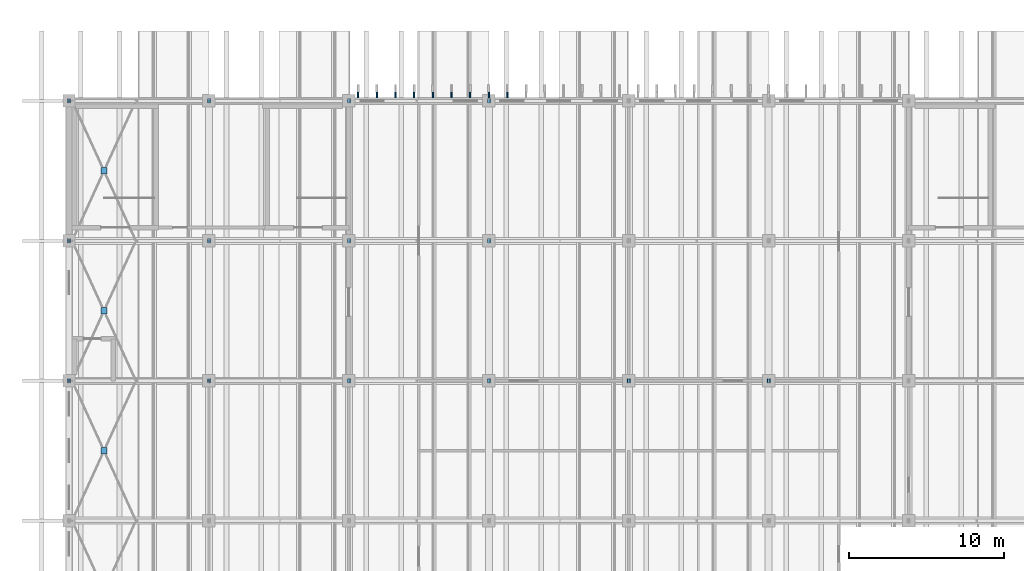
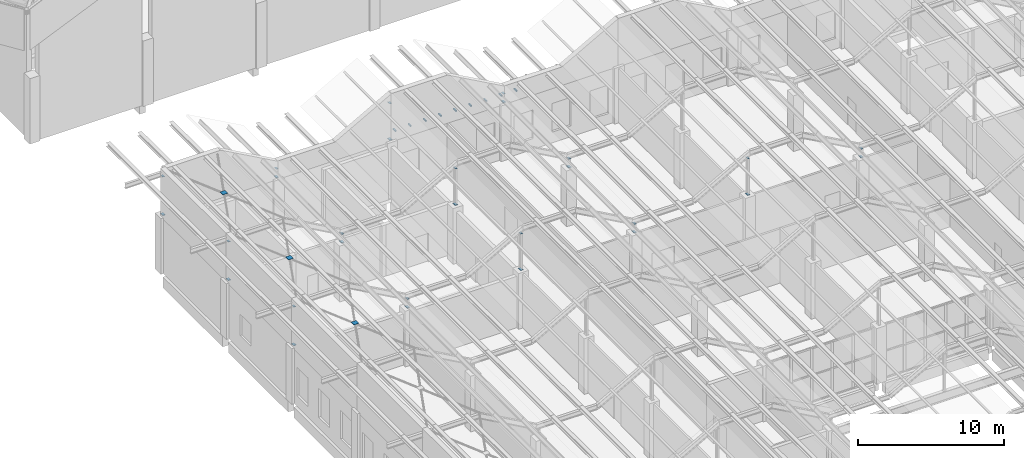
# One storey, part 352 of 437: 40 discrete accessories.
"""IFC4 building model written with IfcOpenShell, lengths in metres."""

import ifcopenshell
import ifcopenshell.guid

model = None  # the IFC model being written
_history = None  # IfcOwnerHistory: only IFC2X3 demands one
_inside = {}  # id of a spatial element -> (the spatial element, [elements in it])
_under = {}  # id of a project, library or spatial element -> (it, [spatial elements below it])
_declared = {}  # id of a project -> (the project, [libraries it declares])
_typed = {}  # id of a type object -> (the type object, [elements of that type])
_made_of = {}  # id of a material, layer set ... -> (it, [elements and type objects made of it])


def new_model(schema):
    """Start an empty IFC model of exactly this schema.

    Asked for "IFC4X3", IfcOpenShell would pick the latest addendum, in which some entities
    have other attributes; the version numbers below select the first issue.
    IFC2X3 requires an IfcOwnerHistory on every rooted entity: one is made here for all.
    """
    global model, _history
    if schema == "IFC4X3":
        model = ifcopenshell.file(schema_version=(4, 3, 0, 0))
    else:
        model = ifcopenshell.file(schema=schema)
    _inside.clear()
    _under.clear()
    _declared.clear()
    _typed.clear()
    _made_of.clear()
    _history = None
    if model.schema == "IFC2X3":
        org = make("IfcOrganization", Name="unknown")
        user = make(
            "IfcPersonAndOrganization",
            ThePerson=make("IfcPerson", FamilyName="unknown"),
            TheOrganization=org,
        )
        app = make(
            "IfcApplication",
            ApplicationDeveloper=org,
            Version="unknown",
            ApplicationFullName="unknown",
            ApplicationIdentifier="unknown",
        )
        _history = make(
            "IfcOwnerHistory",
            OwningUser=user,
            OwningApplication=app,
            ChangeAction="ADDED",
            CreationDate=0,
        )
    return model


def make(cls, **values):
    """One entity of the class cls with the attributes given. An attribute that is None is left unset."""
    return model.create_entity(
        cls, **{name: value for name, value in values.items() if value is not None}
    )


def rooted(cls, **values):
    """An entity with a GlobalId (a new one), such as an element, a storey or a relation."""
    return make(cls, GlobalId=ifcopenshell.guid.new(), OwnerHistory=_history, **values)


def si_unit(unit_type, name, prefix=None):
    """IfcSIUnit, for example si_unit("LENGTHUNIT", "METRE", prefix="MILLI")."""
    return make("IfcSIUnit", UnitType=unit_type, Prefix=prefix, Name=name)


def assignment(units):
    """IfcUnitAssignment: the units of a project."""
    return None if units is None else make("IfcUnitAssignment", Units=units)


def point(xyz):
    """IfcCartesianPoint."""
    return None if xyz is None else make("IfcCartesianPoint", Coordinates=xyz)


def direction(xyz):
    """IfcDirection."""
    return None if xyz is None else make("IfcDirection", DirectionRatios=xyz)


def frame(location, z_axis=None, x_axis=None):
    """IfcAxis2Placement3D, a coordinate frame: its origin and axes. An axis left out is left unset."""
    return make(
        "IfcAxis2Placement3D",
        Location=point(location),
        Axis=direction(z_axis),
        RefDirection=direction(x_axis),
    )


def frame_2d(location, x_axis=None):
    """IfcAxis2Placement2D, a coordinate frame in the plane: its origin and x axis."""
    return make(
        "IfcAxis2Placement2D", Location=point(location), RefDirection=direction(x_axis)
    )


def origin():
    """The frame at (0, 0, 0) with its axes left unset."""
    return frame((0.0, 0.0, 0.0))


def origin_2d():
    """The frame at (0, 0) in the plane with its x axis left unset."""
    return frame_2d((0.0, 0.0))


def place(relative_to, where):
    """IfcLocalPlacement: puts the frame where relative to a parent placement (None: the world)."""
    return make(
        "IfcLocalPlacement", PlacementRelTo=relative_to, RelativePlacement=where
    )


def context(
    kind, dimensions, precision=None, world=None, true_north=None, identifier=None
):
    """IfcGeometricRepresentationContext, for example the 3D "Model" context."""
    return make(
        "IfcGeometricRepresentationContext",
        ContextIdentifier=identifier,
        ContextType=kind,
        CoordinateSpaceDimension=dimensions,
        Precision=precision,
        WorldCoordinateSystem=world,
        TrueNorth=true_north,
    )


def subcontext(parent, identifier, kind, view, scale=None):
    """IfcGeometricRepresentationSubContext, for example "Body" below "Model"."""
    return make(
        "IfcGeometricRepresentationSubContext",
        ContextIdentifier=identifier,
        ContextType=kind,
        ParentContext=parent,
        TargetScale=scale,
        TargetView=view,
    )


def project(units=None, contexts=None):
    """IfcProject with its units and contexts."""
    return rooted(
        "IfcProject",
        Name="project",
        RepresentationContexts=contexts,
        UnitsInContext=assignment(units),
    )


def spatial(cls, under=None, at=None, **own):
    """A site, building, storey or space (cls), placed at a placement, below another one or the project."""
    s = rooted(cls, ObjectPlacement=at, **own)
    if under is not None:
        _under.setdefault(under.id(), (under, []))[1].append(s)
    return s


def profile(cls, at=None, kind="AREA", **sizes):
    """A parametric profile (cls). Its sizes go by their IFC names, for example OverallWidth=200.0."""
    return make(cls, ProfileType=kind, Position=at, **sizes)


def rectangle(**sizes):
    """IfcRectangleProfileDef."""
    return profile("IfcRectangleProfileDef", **sizes)


def extrude(swept, where, along, depth):
    """IfcExtrudedAreaSolid: the profile swept, set in the frame where, extruded along a direction by depth."""
    return make(
        "IfcExtrudedAreaSolid",
        SweptArea=swept,
        Position=where,
        ExtrudedDirection=direction(along),
        Depth=depth,
    )


def shape(context_of_items, identifier, shape_type, items):
    """IfcShapeRepresentation: the items that make up one representation, for example the "Body"."""
    return make(
        "IfcShapeRepresentation",
        ContextOfItems=context_of_items,
        RepresentationIdentifier=identifier,
        RepresentationType=shape_type,
        Items=items,
    )


def material(Name=None, Category=None):
    """IfcMaterial."""
    return make("IfcMaterial", Name=Name, Category=Category)


def layer(
    of_material, thickness, ventilated=None, Name=None, Category=None, Priority=None
):
    """IfcMaterialLayer: one layer of a wall or slab, of a material (None: an air gap)."""
    return make(
        "IfcMaterialLayer",
        Material=of_material,
        LayerThickness=thickness,
        IsVentilated=ventilated,
        Name=Name,
        Category=Category,
        Priority=Priority,
    )


def layer_set(layers, Name=None):
    """IfcMaterialLayerSet."""
    return make("IfcMaterialLayerSet", MaterialLayers=layers, LayerSetName=Name)


def made_of(thing, what):
    """Note that an element or type object is made of a material, layer set ...; save() writes the relation."""
    if what is not None:
        _made_of.setdefault(what.id(), (what, []))[1].append(thing)
    return thing


def type_object(cls, material=None, **own):
    """A type object (cls), such as IfcWallType, which elements share."""
    return made_of(rooted(cls, **own), material)


def element(
    cls,
    number,
    at=None,
    inside=None,
    cuts=None,
    type_object=None,
    material=None,
    context=None,
    identifier="Body",
    shape_type=None,
    held_by="IfcProductDefinitionShape",
    body=None,
    shapes=None,
    **own,
):
    """One element of the class cls, such as IfcWall. Its Tag is "e" and its number.

    at: its placement. inside: the storey or other place that contains it. cuts: it is an
    opening in that element (IfcRelVoidsElement). A single representation is given by context,
    identifier, shape_type and body (its items); several are given by shapes. held_by: the class
    of the entity that holds the representations. save() writes the other relations.
    """
    e = rooted(cls, Tag="e%d" % number, ObjectPlacement=at, **own)
    if body is not None:
        shapes = [shape(context, identifier, shape_type, body)]
    if shapes is not None:
        e.Representation = make(held_by, Representations=shapes)
    if inside is not None:
        _inside.setdefault(inside.id(), (inside, []))[1].append(e)
    if cuts is not None:
        rooted(
            "IfcRelVoidsElement", RelatingBuildingElement=cuts, RelatedOpeningElement=e
        )
    if type_object is not None:
        _typed.setdefault(type_object.id(), (type_object, []))[1].append(e)
    return made_of(e, material)


def aggregate(whole, parts):
    """IfcRelAggregates: a whole, such as a stair, and the parts it consists of."""
    return rooted("IfcRelAggregates", RelatingObject=whole, RelatedObjects=parts)


def save(model, path):
    """Write the relations noted so far, then the file.

    IfcRelAggregates (storeys below a building ...), IfcRelContainedInSpatialStructure (elements
    in a storey), IfcRelDefinesByType, IfcRelAssociatesMaterial and IfcRelDeclares: one each for
    every whole, place, type object, material and project.
    """
    for whole, parts in _under.values():
        aggregate(whole, parts)
    for where, things in _inside.values():
        rooted(
            "IfcRelContainedInSpatialStructure",
            RelatedElements=things,
            RelatingStructure=where,
        )
    for kind, things in _typed.values():
        rooted("IfcRelDefinesByType", RelatedObjects=things, RelatingType=kind)
    for what, things in _made_of.values():
        rooted("IfcRelAssociatesMaterial", RelatedObjects=things, RelatingMaterial=what)
    for by, libraries in _declared.values():
        rooted("IfcRelDeclares", RelatingContext=by, RelatedDefinitions=libraries)
    model.write(path)


model = new_model("IFC4")

# Units and contexts
model_context = context("Model", 3, precision=1e-05, world=origin(), true_north=direction((0.0, 1.0)))
body_context = subcontext(model_context, "Body", "Model", "MODEL_VIEW")
ifc_project = project(units=[si_unit("LENGTHUNIT", "METRE"), si_unit("AREAUNIT", "SQUARE_METRE"), si_unit("VOLUMEUNIT", "CUBIC_METRE"), si_unit("PLANEANGLEUNIT", "RADIAN"), si_unit("MASSUNIT", "GRAM", prefix="KILO")], contexts=[model_context])

# Site, building, storey
site_placement = place(None, origin())
site = spatial("IfcSite", under=ifc_project, at=site_placement, CompositionType="ELEMENT")
building_placement = place(site_placement, origin())
building = spatial("IfcBuilding", under=site, at=building_placement, Name="Opaline Strait Convention Centre", CompositionType="ELEMENT")
storey_placement = place(building_placement, frame((0.0, 0.0, 11.5)))
storey = spatial("IfcBuildingStorey", under=building, at=storey_placement, Name="L02", CompositionType="ELEMENT", Elevation=11.5)

# Discrete accessories
ifc_material_1 = material(Name="Stainless steel 316", Category="steel")
discrete_accessory_type_1 = type_object("IfcDiscreteAccessoryType", Name="Fin bracket stainless steel 316", PredefinedType="BRACKET", material=ifc_material_1)
for number, where, z_axis, x_axis, name in (
    (1, (27.60009765625, 99.375, 4.949951171875), (0.0, 0.0, 1.0), (1.0, 0.0, 0.0), "Fin bracket N L02"),
    (2, (28.800048828125, 99.375, 4.949951171875), (0.0, 0.0, 1.0), (1.0, 0.0, 0.0), "Fin bracket N L02"),
    (3, (30.0, 99.375, 4.949951171875), (0.0, 0.0, 1.0), (1.0, 0.0, 0.0), "Fin bracket N L02"),
    (4, (31.199951171875, 99.375, 4.949951171875), (0.0, 0.0, 1.0), (1.0, 0.0, 0.0), "Fin bracket N L02"),
    (5, (32.39990234375, 99.375, 4.949951171875), (0.0, 0.0, 1.0), (1.0, 0.0, 0.0), "Fin bracket N L02"),
    (6, (33.60009765625, 99.375, 4.949951171875), (0.0, 0.0, 1.0), (1.0, 0.0, 0.0), "Fin bracket N L02"),
    (7, (34.800048828125, 99.375, 4.949951171875), (0.0, 0.0, 1.0), (1.0, 0.0, 0.0), "Fin bracket N L02"),
    (8, (36.0, 99.375, 4.949951171875), (0.0, 0.0, 1.0), (1.0, 0.0, 0.0), "Fin bracket N L02"),
    (9, (37.199951171875, 99.375, 4.949951171875), (0.0, 0.0, 1.0), (1.0, 0.0, 0.0), "Fin bracket N L02"),
):
    element("IfcDiscreteAccessory", number, at=place(storey_placement, frame(where, z_axis=z_axis, x_axis=x_axis)), inside=storey, type_object=discrete_accessory_type_1, Name=name, PredefinedType="BRACKET", context=body_context, shape_type="SweptSolid", body=[
        extrude(rectangle(XDim=0.10009765625, YDim=0.35009765625, at=origin_2d()), origin(), (0.0, 0.0, 1.0), 0.10009765625),
    ])
ifc_material_2 = material(Name="Steel Q355B", Category="steel")
ifc_layer_1 = layer(ifc_material_2, 0.02001953125)
ifc_layer_set_1 = layer_set([ifc_layer_1], Name="Steel Q355B")
discrete_accessory_type_2 = type_object("IfcDiscreteAccessoryType", Name="Roof post base plate 300 x 200 x 20", PredefinedType="ANCHORPLATE", material=ifc_layer_set_1)
for number, where, z_axis, x_axis, name in (
    (10, (9.0, 81.0, 4.669921875), (0.0, 0.0, 1.0), (1.0, 0.0, 0.0), "Roof post base plate at 9/81"),
    (11, (18.0, 81.0, 4.669921875), (0.0, 0.0, 1.0), (1.0, 0.0, 0.0), "Roof post base plate at 18/81"),
    (12, (27.0, 81.0, 4.669921875), (0.0, 0.0, 1.0), (1.0, 0.0, 0.0), "Roof post base plate at 27/81"),
    (13, (36.0, 81.0, 4.669921875), (0.0, 0.0, 1.0), (1.0, 0.0, 0.0), "Roof post base plate at 36/81"),
    (14, (45.0, 81.0, 4.669921875), (0.0, 0.0, 1.0), (1.0, 0.0, 0.0), "Roof post base plate at 45/81"),
    (15, (54.0, 81.0, 4.669921875), (0.0, 0.0, 1.0), (1.0, 0.0, 0.0), "Roof post base plate at 54/81"),
    (16, (9.0, 90.0, 4.669921875), (0.0, 0.0, 1.0), (1.0, 0.0, 0.0), "Roof post base plate at 9/90"),
    (17, (18.0, 90.0, 4.669921875), (0.0, 0.0, 1.0), (1.0, 0.0, 0.0), "Roof post base plate at 18/90"),
    (18, (27.0, 90.0, 4.669921875), (0.0, 0.0, 1.0), (1.0, 0.0, 0.0), "Roof post base plate at 27/90"),
    (19, (36.0, 90.0, 4.669921875), (0.0, 0.0, 1.0), (1.0, 0.0, 0.0), "Roof post base plate at 36/90"),
    (20, (9.0, 99.0, 4.669921875), (0.0, 0.0, 1.0), (1.0, 0.0, 0.0), "Roof post base plate at 9/99"),
    (21, (18.0, 99.0, 4.669921875), (0.0, 0.0, 1.0), (1.0, 0.0, 0.0), "Roof post base plate at 18/99"),
    (22, (27.0, 99.0, 4.669921875), (0.0, 0.0, 1.0), (1.0, 0.0, 0.0), "Roof post base plate at 27/99"),
    (23, (36.0, 99.0, 4.669921875), (0.0, 0.0, 1.0), (1.0, 0.0, 0.0), "Roof post base plate at 36/99"),
):
    element("IfcDiscreteAccessory", number, at=place(storey_placement, frame(where, z_axis=z_axis, x_axis=x_axis)), inside=storey, type_object=discrete_accessory_type_2, Name=name, PredefinedType="ANCHORPLATE", context=body_context, shape_type="SweptSolid", body=[
        extrude(rectangle(XDim=0.199951171875, YDim=0.300048828125, at=origin_2d()), origin(), (0.0, 0.0, 1.0), 0.02001953125),
    ])
ifc_layer_2 = layer(ifc_material_2, 0.014892578125)
ifc_layer_set_2 = layer_set([ifc_layer_2], Name="Steel Q355B")
discrete_accessory_type_3 = type_object("IfcDiscreteAccessoryType", Name="Roof post cap plate 250 x 150 x 15", PredefinedType="ANCHORPLATE", material=ifc_layer_set_2)
for number, where, z_axis, x_axis, name in (
    (24, (9.0, 81.0, 7.88525390625), (0.0, 0.0, 1.0), (1.0, 0.0, 0.0), "Roof post cap plate at 9/81"),
    (25, (18.0, 81.0, 5.38525390625), (0.0, 0.0, 1.0), (1.0, 0.0, 0.0), "Roof post cap plate at 18/81"),
    (26, (27.0, 81.0, 7.72119140625), (0.0, 0.0, 1.0), (1.0, 0.0, 0.0), "Roof post cap plate at 27/81"),
    (27, (36.0, 81.0, 5.38525390625), (0.0, 0.0, 1.0), (1.0, 0.0, 0.0), "Roof post cap plate at 36/81"),
    (28, (45.0, 81.0, 7.72119140625), (0.0, 0.0, 1.0), (1.0, 0.0, 0.0), "Roof post cap plate at 45/81"),
    (29, (54.0, 81.0, 5.38525390625), (0.0, 0.0, 1.0), (1.0, 0.0, 0.0), "Roof post cap plate at 54/81"),
    (30, (9.0, 90.0, 7.88525390625), (0.0, 0.0, 1.0), (1.0, 0.0, 0.0), "Roof post cap plate at 9/90"),
    (31, (18.0, 90.0, 5.38525390625), (0.0, 0.0, 1.0), (1.0, 0.0, 0.0), "Roof post cap plate at 18/90"),
    (32, (27.0, 90.0, 7.72119140625), (0.0, 0.0, 1.0), (1.0, 0.0, 0.0), "Roof post cap plate at 27/90"),
    (33, (36.0, 90.0, 5.38525390625), (0.0, 0.0, 1.0), (1.0, 0.0, 0.0), "Roof post cap plate at 36/90"),
    (34, (9.0, 99.0, 7.88525390625), (0.0, 0.0, 1.0), (1.0, 0.0, 0.0), "Roof post cap plate at 9/99"),
    (35, (18.0, 99.0, 5.38525390625), (0.0, 0.0, 1.0), (1.0, 0.0, 0.0), "Roof post cap plate at 18/99"),
    (36, (27.0, 99.0, 7.72119140625), (0.0, 0.0, 1.0), (1.0, 0.0, 0.0), "Roof post cap plate at 27/99"),
    (37, (36.0, 99.0, 5.38525390625), (0.0, 0.0, 1.0), (1.0, 0.0, 0.0), "Roof post cap plate at 36/99"),
):
    element("IfcDiscreteAccessory", number, at=place(storey_placement, frame(where, z_axis=z_axis, x_axis=x_axis)), inside=storey, type_object=discrete_accessory_type_3, Name=name, PredefinedType="ANCHORPLATE", context=body_context, shape_type="SweptSolid", body=[
        extrude(rectangle(XDim=0.14990234375, YDim=0.25, at=origin_2d()), origin(), (0.0, 0.0, 1.0), 0.014892578125),
    ])
ifc_layer_3 = layer(ifc_material_2, 0.014892578125)
ifc_layer_set_3 = layer_set([ifc_layer_3], Name="Steel Q355B")
discrete_accessory_type_4 = type_object("IfcDiscreteAccessoryType", Name="X-brace gusset plate 400 x 400 x 15", PredefinedType="ANCHORPLATE", material=ifc_layer_set_3)
for number, where, z_axis, x_axis, name in (
    (38, (11.25, 76.5, 8.4140625), (0.0, 0.0, 1.0), (1.0, 0.0, 0.0), "X-brace gusset plate bay 8 at 9"),
    (39, (11.25, 85.5, 8.4140625), (0.0, 0.0, 1.0), (1.0, 0.0, 0.0), "X-brace gusset plate bay 9 at 9"),
    (40, (11.25, 94.5, 8.4140625), (0.0, 0.0, 1.0), (1.0, 0.0, 0.0), "X-brace gusset plate bay 10 at 9"),
):
    element("IfcDiscreteAccessory", number, at=place(storey_placement, frame(where, z_axis=z_axis, x_axis=x_axis)), inside=storey, type_object=discrete_accessory_type_4, Name=name, PredefinedType="ANCHORPLATE", context=body_context, shape_type="SweptSolid", body=[
        extrude(rectangle(XDim=0.39990234375, YDim=0.39990234375, at=origin_2d()), origin(), (0.0, 0.0, 1.0), 0.014892578125),
    ])

save(model, "model.ifc")
